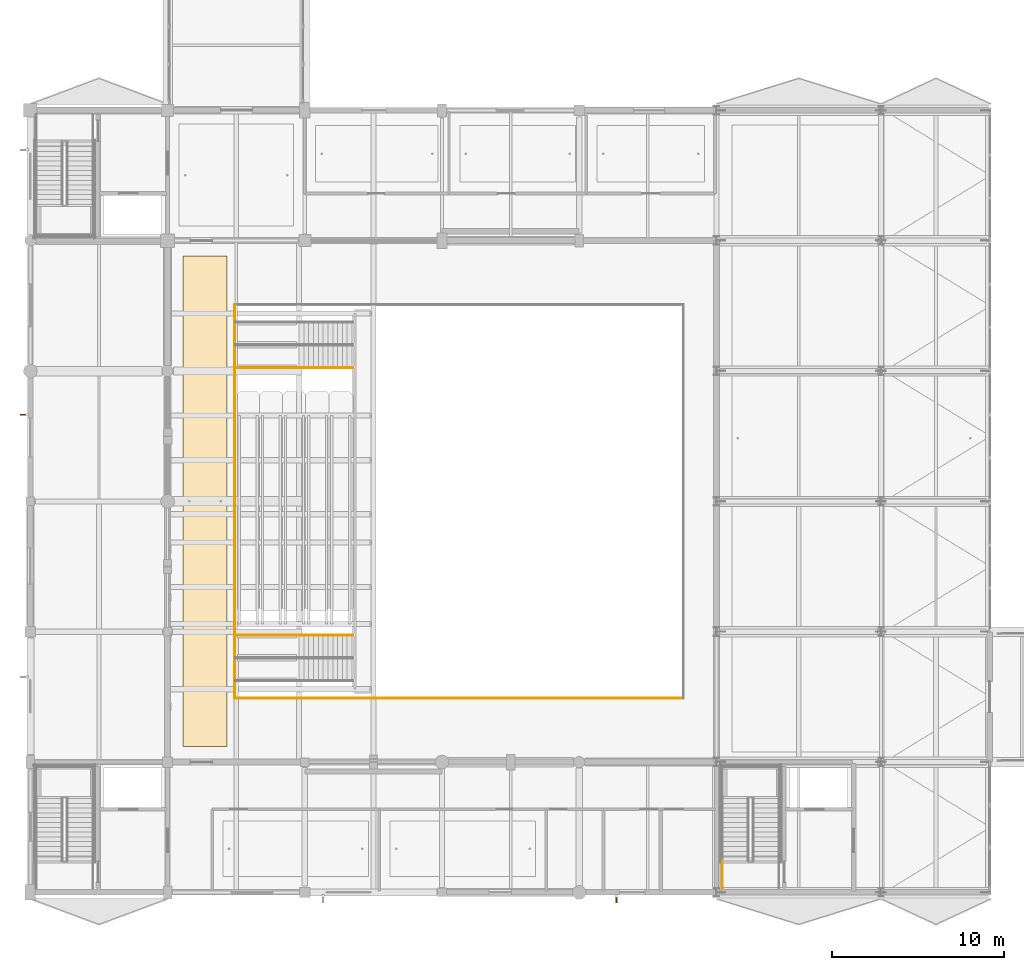
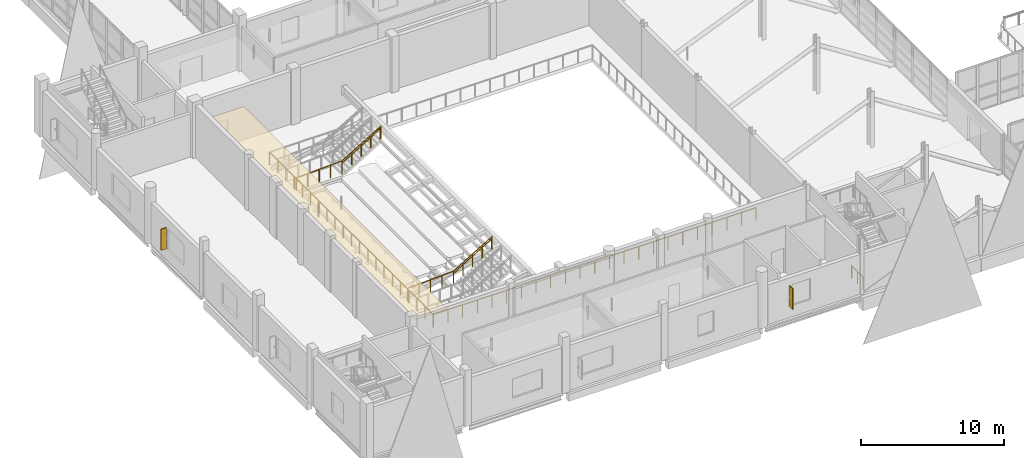
# One storey, part 128 of 147: 7 railings, 2 shading devices, 1 covering.
"""IFC4 building model written with IfcOpenShell, lengths in metres."""

import ifcopenshell
import ifcopenshell.guid

model = None  # the IFC model being written
_history = None  # IfcOwnerHistory: only IFC2X3 demands one
_inside = {}  # id of a spatial element -> (the spatial element, [elements in it])
_under = {}  # id of a project, library or spatial element -> (it, [spatial elements below it])
_declared = {}  # id of a project -> (the project, [libraries it declares])
_typed = {}  # id of a type object -> (the type object, [elements of that type])
_made_of = {}  # id of a material, layer set ... -> (it, [elements and type objects made of it])


def new_model(schema):
    """Start an empty IFC model of exactly this schema.

    Asked for "IFC4X3", IfcOpenShell would pick the latest addendum, in which some entities
    have other attributes; the version numbers below select the first issue.
    IFC2X3 requires an IfcOwnerHistory on every rooted entity: one is made here for all.
    """
    global model, _history
    if schema == "IFC4X3":
        model = ifcopenshell.file(schema_version=(4, 3, 0, 0))
    else:
        model = ifcopenshell.file(schema=schema)
    _inside.clear()
    _under.clear()
    _declared.clear()
    _typed.clear()
    _made_of.clear()
    _history = None
    if model.schema == "IFC2X3":
        org = make("IfcOrganization", Name="unknown")
        user = make(
            "IfcPersonAndOrganization",
            ThePerson=make("IfcPerson", FamilyName="unknown"),
            TheOrganization=org,
        )
        app = make(
            "IfcApplication",
            ApplicationDeveloper=org,
            Version="unknown",
            ApplicationFullName="unknown",
            ApplicationIdentifier="unknown",
        )
        _history = make(
            "IfcOwnerHistory",
            OwningUser=user,
            OwningApplication=app,
            ChangeAction="ADDED",
            CreationDate=0,
        )
    return model


def make(cls, **values):
    """One entity of the class cls with the attributes given. An attribute that is None is left unset."""
    return model.create_entity(
        cls, **{name: value for name, value in values.items() if value is not None}
    )


def rooted(cls, **values):
    """An entity with a GlobalId (a new one), such as an element, a storey or a relation."""
    return make(cls, GlobalId=ifcopenshell.guid.new(), OwnerHistory=_history, **values)


def si_unit(unit_type, name, prefix=None):
    """IfcSIUnit, for example si_unit("LENGTHUNIT", "METRE", prefix="MILLI")."""
    return make("IfcSIUnit", UnitType=unit_type, Prefix=prefix, Name=name)


def assignment(units):
    """IfcUnitAssignment: the units of a project."""
    return None if units is None else make("IfcUnitAssignment", Units=units)


def point(xyz):
    """IfcCartesianPoint."""
    return None if xyz is None else make("IfcCartesianPoint", Coordinates=xyz)


def direction(xyz):
    """IfcDirection."""
    return None if xyz is None else make("IfcDirection", DirectionRatios=xyz)


def frame(location, z_axis=None, x_axis=None):
    """IfcAxis2Placement3D, a coordinate frame: its origin and axes. An axis left out is left unset."""
    return make(
        "IfcAxis2Placement3D",
        Location=point(location),
        Axis=direction(z_axis),
        RefDirection=direction(x_axis),
    )


def frame_2d(location, x_axis=None):
    """IfcAxis2Placement2D, a coordinate frame in the plane: its origin and x axis."""
    return make(
        "IfcAxis2Placement2D", Location=point(location), RefDirection=direction(x_axis)
    )


def origin():
    """The frame at (0, 0, 0) with its axes left unset."""
    return frame((0.0, 0.0, 0.0))


def origin_2d():
    """The frame at (0, 0) in the plane with its x axis left unset."""
    return frame_2d((0.0, 0.0))


def place(relative_to, where):
    """IfcLocalPlacement: puts the frame where relative to a parent placement (None: the world)."""
    return make(
        "IfcLocalPlacement", PlacementRelTo=relative_to, RelativePlacement=where
    )


def context(
    kind, dimensions, precision=None, world=None, true_north=None, identifier=None
):
    """IfcGeometricRepresentationContext, for example the 3D "Model" context."""
    return make(
        "IfcGeometricRepresentationContext",
        ContextIdentifier=identifier,
        ContextType=kind,
        CoordinateSpaceDimension=dimensions,
        Precision=precision,
        WorldCoordinateSystem=world,
        TrueNorth=true_north,
    )


def subcontext(parent, identifier, kind, view, scale=None):
    """IfcGeometricRepresentationSubContext, for example "Body" below "Model"."""
    return make(
        "IfcGeometricRepresentationSubContext",
        ContextIdentifier=identifier,
        ContextType=kind,
        ParentContext=parent,
        TargetScale=scale,
        TargetView=view,
    )


def project(units=None, contexts=None):
    """IfcProject with its units and contexts."""
    return rooted(
        "IfcProject",
        Name="project",
        RepresentationContexts=contexts,
        UnitsInContext=assignment(units),
    )


def spatial(cls, under=None, at=None, **own):
    """A site, building, storey or space (cls), placed at a placement, below another one or the project."""
    s = rooted(cls, ObjectPlacement=at, **own)
    if under is not None:
        _under.setdefault(under.id(), (under, []))[1].append(s)
    return s


def polyline(points):
    """IfcPolyline through the points."""
    return make("IfcPolyline", Points=[point(p) for p in points])


def profile(cls, at=None, kind="AREA", **sizes):
    """A parametric profile (cls). Its sizes go by their IFC names, for example OverallWidth=200.0."""
    return make(cls, ProfileType=kind, Position=at, **sizes)


def rectangle(**sizes):
    """IfcRectangleProfileDef."""
    return profile("IfcRectangleProfileDef", **sizes)


def circle(**sizes):
    """IfcCircleProfileDef."""
    return profile("IfcCircleProfileDef", **sizes)


def outline(outer, holes=None, kind="AREA"):
    """IfcArbitraryClosedProfileDef: a profile drawn as a closed curve; with holes, ...WithVoids."""
    if holes is None:
        return make("IfcArbitraryClosedProfileDef", ProfileType=kind, OuterCurve=outer)
    return make(
        "IfcArbitraryProfileDefWithVoids",
        ProfileType=kind,
        OuterCurve=outer,
        InnerCurves=holes,
    )


def extrude(swept, where, along, depth):
    """IfcExtrudedAreaSolid: the profile swept, set in the frame where, extruded along a direction by depth."""
    return make(
        "IfcExtrudedAreaSolid",
        SweptArea=swept,
        Position=where,
        ExtrudedDirection=direction(along),
        Depth=depth,
    )


def shape(context_of_items, identifier, shape_type, items):
    """IfcShapeRepresentation: the items that make up one representation, for example the "Body"."""
    return make(
        "IfcShapeRepresentation",
        ContextOfItems=context_of_items,
        RepresentationIdentifier=identifier,
        RepresentationType=shape_type,
        Items=items,
    )


def material(Name=None, Category=None):
    """IfcMaterial."""
    return make("IfcMaterial", Name=Name, Category=Category)


def layer(
    of_material, thickness, ventilated=None, Name=None, Category=None, Priority=None
):
    """IfcMaterialLayer: one layer of a wall or slab, of a material (None: an air gap)."""
    return make(
        "IfcMaterialLayer",
        Material=of_material,
        LayerThickness=thickness,
        IsVentilated=ventilated,
        Name=Name,
        Category=Category,
        Priority=Priority,
    )


def layer_set(layers, Name=None):
    """IfcMaterialLayerSet."""
    return make("IfcMaterialLayerSet", MaterialLayers=layers, LayerSetName=Name)


def made_of(thing, what):
    """Note that an element or type object is made of a material, layer set ...; save() writes the relation."""
    if what is not None:
        _made_of.setdefault(what.id(), (what, []))[1].append(thing)
    return thing


def type_object(cls, material=None, **own):
    """A type object (cls), such as IfcWallType, which elements share."""
    return made_of(rooted(cls, **own), material)


def element(
    cls,
    number,
    at=None,
    inside=None,
    cuts=None,
    type_object=None,
    material=None,
    context=None,
    identifier="Body",
    shape_type=None,
    held_by="IfcProductDefinitionShape",
    body=None,
    shapes=None,
    **own,
):
    """One element of the class cls, such as IfcWall. Its Tag is "e" and its number.

    at: its placement. inside: the storey or other place that contains it. cuts: it is an
    opening in that element (IfcRelVoidsElement). A single representation is given by context,
    identifier, shape_type and body (its items); several are given by shapes. held_by: the class
    of the entity that holds the representations. save() writes the other relations.
    """
    e = rooted(cls, Tag="e%d" % number, ObjectPlacement=at, **own)
    if body is not None:
        shapes = [shape(context, identifier, shape_type, body)]
    if shapes is not None:
        e.Representation = make(held_by, Representations=shapes)
    if inside is not None:
        _inside.setdefault(inside.id(), (inside, []))[1].append(e)
    if cuts is not None:
        rooted(
            "IfcRelVoidsElement", RelatingBuildingElement=cuts, RelatedOpeningElement=e
        )
    if type_object is not None:
        _typed.setdefault(type_object.id(), (type_object, []))[1].append(e)
    return made_of(e, material)


def aggregate(whole, parts):
    """IfcRelAggregates: a whole, such as a stair, and the parts it consists of."""
    return rooted("IfcRelAggregates", RelatingObject=whole, RelatedObjects=parts)


def save(model, path):
    """Write the relations noted so far, then the file.

    IfcRelAggregates (storeys below a building ...), IfcRelContainedInSpatialStructure (elements
    in a storey), IfcRelDefinesByType, IfcRelAssociatesMaterial and IfcRelDeclares: one each for
    every whole, place, type object, material and project.
    """
    for whole, parts in _under.values():
        aggregate(whole, parts)
    for where, things in _inside.values():
        rooted(
            "IfcRelContainedInSpatialStructure",
            RelatedElements=things,
            RelatingStructure=where,
        )
    for kind, things in _typed.values():
        rooted("IfcRelDefinesByType", RelatedObjects=things, RelatingType=kind)
    for what, things in _made_of.values():
        rooted("IfcRelAssociatesMaterial", RelatedObjects=things, RelatingMaterial=what)
    for by, libraries in _declared.values():
        rooted("IfcRelDeclares", RelatingContext=by, RelatedDefinitions=libraries)
    model.write(path)


model = new_model("IFC4")

# Units and contexts
model_context = context("Model", 3, precision=1e-05, world=origin(), true_north=direction((0.0, 1.0)))
body_context = subcontext(model_context, "Body", "Model", "MODEL_VIEW")
ifc_project = project(units=[si_unit("LENGTHUNIT", "METRE"), si_unit("AREAUNIT", "SQUARE_METRE"), si_unit("VOLUMEUNIT", "CUBIC_METRE"), si_unit("PLANEANGLEUNIT", "RADIAN"), si_unit("MASSUNIT", "GRAM", prefix="KILO")], contexts=[model_context])

# Site, building, storey
site_placement = place(None, origin())
site = spatial("IfcSite", under=ifc_project, at=site_placement, CompositionType="ELEMENT")
building_placement = place(site_placement, origin())
building = spatial("IfcBuilding", under=site, at=building_placement, Name="Khelvaren Railside Concert Hall", CompositionType="ELEMENT")
storey_placement = place(building_placement, frame((0.0, 0.0, 5.39990234375)))
storey = spatial("IfcBuildingStorey", under=building, at=storey_placement, Name="L01", CompositionType="ELEMENT", Elevation=5.39990234375)

# Covering
ifc_material_1 = material(Name="Mineral-wool acoustic baffle ceiling", Category="gypsum")
ifc_layer = layer(ifc_material_1, 0.0400390625)
ifc_layer_set = layer_set([ifc_layer], Name="Mineral-wool acoustic baffle ceiling")
covering_type = type_object("IfcCoveringType", Name="CLG20", PredefinedType="CEILING", material=ifc_layer_set)
covering_placement = place(storey_placement, frame((0.0, 0.0, 3.41015625)))
element("IfcCovering", 1, at=covering_placement, inside=storey, type_object=covering_type, Name="Suspended Acoustic Ceiling Main Hall Dress Circle Auditorium", PredefinedType="CEILING", context=body_context, shape_type="SweptSolid", body=[
    extrude(outline(polyline([(8.89990234375, 8.5), (11.449951171875, 8.5), (11.449951171875, 37.10009765625), (8.89990234375, 37.10009765625), (8.89990234375, 8.5)])), origin(), (0.0, 0.0, 1.0), 0.0400390625),
])

# Railings
ifc_material_2 = material(Name="Painted architectural steel", Category="steel")
railing_type_1 = type_object("IfcRailingType", Name="GRD86", PredefinedType="GUARDRAIL", material=ifc_material_2)
railing_1_placement = place(storey_placement, frame((40.35009765625, 0.239990234375, 0.0)))
element("IfcRailing", 2, at=railing_1_placement, inside=storey, type_object=railing_type_1, Name="L01 ST-02 stair guard 9", PredefinedType="GUARDRAIL", context=body_context, shape_type="SweptSolid", body=[
    extrude(circle(Radius=0.02392578125, at=origin_2d()), frame((0.0, 0.0, 1.076171875), z_axis=(0.0, 1.0, 0.0), x_axis=(-1.0, 0.0, 0.0)), (0.0, 0.0, 1.0), 1.60009765625),
    extrude(circle(Radius=0.02099609375, at=origin_2d()), origin(), (0.0, 0.0, 1.0), 1.052001953125),
    extrude(circle(Radius=0.02099609375, at=origin_2d()), frame((0.0, 0.800048828125, 0.0)), (0.0, 0.0, 1.0), 1.052001953125),
    extrude(circle(Radius=0.02099609375, at=origin_2d()), frame((0.0, 1.60009765625, 0.0)), (0.0, 0.0, 1.0), 1.052001953125),
])
for number, where, name in (
    (3, (11.949951171875, 15.0, 0.0), "Vomitory Guardrail ST-18-R"),
    (4, (11.949951171875, 30.60009765625, 0.0), "Vomitory Guardrail ST-19-L"),
):
    element("IfcRailing", number, at=place(storey_placement, frame(where)), inside=storey, type_object=railing_type_1, Name=name, PredefinedType="GUARDRAIL", context=body_context, shape_type="SweptSolid", body=[
        extrude(circle(Radius=0.02392578125, at=origin_2d()), frame((0.0, 0.0, 1.076171875), z_axis=(0.998955386328, 0.0, 0.045696128127), x_axis=(0.0, 1.0, 0.0)), (0.0, 0.0, 1.0), 3.723876953125),
        extrude(circle(Radius=0.02392578125, at=origin_2d()), frame((3.719970703125, 0.0, 1.24609375), z_axis=(0.858483901645, 0.0, 0.512840511871), x_axis=(0.0, 1.0, 0.0)), (0.0, 0.0, 1.0), 3.64599609375),
        extrude(circle(Radius=0.02099609375, at=origin_2d()), origin(), (0.0, 0.0, 1.0), 1.052001953125),
        extrude(circle(Radius=0.02099609375, at=origin_2d()), frame((0.929931640625, 0.0, 0.04248046875)), (0.0, 0.0, 1.0), 1.052001953125),
        extrude(circle(Radius=0.02099609375, at=origin_2d()), frame((1.85986328125, 0.0, 0.0849609375)), (0.0, 0.0, 1.0), 1.052001953125),
        extrude(circle(Radius=0.02099609375, at=origin_2d()), frame((2.7900390625, 0.0, 0.127685546875)), (0.0, 0.0, 1.0), 1.052001953125),
        extrude(circle(Radius=0.02099609375, at=origin_2d()), frame((3.719970703125, 0.0, 0.170166015625)), (0.0, 0.0, 1.0), 1.052001953125),
        extrude(circle(Radius=0.02099609375, at=origin_2d()), frame((4.50244140625, 0.0, 0.6376953125)), (0.0, 0.0, 1.0), 1.052001953125),
        extrude(circle(Radius=0.02099609375, at=origin_2d()), frame((5.28515625, 0.0, 1.10498046875)), (0.0, 0.0, 1.0), 1.052001953125),
        extrude(circle(Radius=0.02099609375, at=origin_2d()), frame((6.067626953125, 0.0, 1.572509765625)), (0.0, 0.0, 1.0), 1.052001953125),
        extrude(circle(Radius=0.02099609375, at=origin_2d()), frame((6.85009765625, 0.0, 2.0400390625)), (0.0, 0.0, 1.0), 1.052001953125),
    ])
ifc_material_3 = material(Name="Acoustic bronze and laminated glass guardrail", Category="glass")
railing_type_2 = type_object("IfcRailingType", Name="GRD91", PredefinedType="GUARDRAIL", material=ifc_material_3)
railing_2_placement = place(storey_placement, frame((11.919921875, 11.320068359375, 0.0)))
element("IfcRailing", 5, at=railing_2_placement, inside=storey, type_object=railing_type_2, Name="V1 L01 Acoustic Bowl Edge Guardrail S", PredefinedType="GUARDRAIL", context=body_context, shape_type="SweptSolid", body=[
    extrude(circle(Radius=0.02392578125, at=origin_2d()), frame((0.0, 0.0, 1.076171875), z_axis=(1.0, 0.0, 0.0), x_axis=(0.0, 1.0, 0.0)), (0.0, 0.0, 1.0), 26.16015625),
    extrude(circle(Radius=0.02099609375, at=origin_2d()), origin(), (0.0, 0.0, 1.0), 1.052001953125),
    extrude(circle(Radius=0.02099609375, at=origin_2d()), frame((1.189208984375, 0.0, 0.0)), (0.0, 0.0, 1.0), 1.052001953125),
    extrude(circle(Radius=0.02099609375, at=origin_2d()), frame((2.378173828125, 0.0, 0.0)), (0.0, 0.0, 1.0), 1.052001953125),
    extrude(circle(Radius=0.02099609375, at=origin_2d()), frame((3.5673828125, 0.0, 0.0)), (0.0, 0.0, 1.0), 1.052001953125),
    extrude(circle(Radius=0.02099609375, at=origin_2d()), frame((4.75634765625, 0.0, 0.0)), (0.0, 0.0, 1.0), 1.052001953125),
    extrude(circle(Radius=0.02099609375, at=origin_2d()), frame((5.945556640625, 0.0, 0.0)), (0.0, 0.0, 1.0), 1.052001953125),
    extrude(circle(Radius=0.02099609375, at=origin_2d()), frame((7.134521484375, 0.0, 0.0)), (0.0, 0.0, 1.0), 1.052001953125),
    extrude(circle(Radius=0.02099609375, at=origin_2d()), frame((8.32373046875, 0.0, 0.0)), (0.0, 0.0, 1.0), 1.052001953125),
    extrude(circle(Radius=0.02099609375, at=origin_2d()), frame((9.5126953125, 0.0, 0.0)), (0.0, 0.0, 1.0), 1.052001953125),
    extrude(circle(Radius=0.02099609375, at=origin_2d()), frame((10.701904296875, 0.0, 0.0)), (0.0, 0.0, 1.0), 1.052001953125),
    extrude(circle(Radius=0.02099609375, at=origin_2d()), frame((11.890869140625, 0.0, 0.0)), (0.0, 0.0, 1.0), 1.052001953125),
    extrude(circle(Radius=0.02099609375, at=origin_2d()), frame((13.080078125, 0.0, 0.0)), (0.0, 0.0, 1.0), 1.052001953125),
    extrude(circle(Radius=0.02099609375, at=origin_2d()), frame((14.269287109375, 0.0, 0.0)), (0.0, 0.0, 1.0), 1.052001953125),
    extrude(circle(Radius=0.02099609375, at=origin_2d()), frame((15.458251953125, 0.0, 0.0)), (0.0, 0.0, 1.0), 1.052001953125),
    extrude(circle(Radius=0.02099609375, at=origin_2d()), frame((16.6474609375, 0.0, 0.0)), (0.0, 0.0, 1.0), 1.052001953125),
    extrude(circle(Radius=0.02099609375, at=origin_2d()), frame((17.83642578125, 0.0, 0.0)), (0.0, 0.0, 1.0), 1.052001953125),
    extrude(circle(Radius=0.02099609375, at=origin_2d()), frame((19.025634765625, 0.0, 0.0)), (0.0, 0.0, 1.0), 1.052001953125),
    extrude(circle(Radius=0.02099609375, at=origin_2d()), frame((20.214599609375, 0.0, 0.0)), (0.0, 0.0, 1.0), 1.052001953125),
    extrude(circle(Radius=0.02099609375, at=origin_2d()), frame((21.40380859375, 0.0, 0.0)), (0.0, 0.0, 1.0), 1.052001953125),
    extrude(circle(Radius=0.02099609375, at=origin_2d()), frame((22.5927734375, 0.0, 0.0)), (0.0, 0.0, 1.0), 1.052001953125),
    extrude(circle(Radius=0.02099609375, at=origin_2d()), frame((23.781982421875, 0.0, 0.0)), (0.0, 0.0, 1.0), 1.052001953125),
    extrude(circle(Radius=0.02099609375, at=origin_2d()), frame((24.970947265625, 0.0, 0.0)), (0.0, 0.0, 1.0), 1.052001953125),
    extrude(circle(Radius=0.02099609375, at=origin_2d()), frame((26.16015625, 0.0, 0.0)), (0.0, 0.0, 1.0), 1.052001953125),
])
railing_3_placement = place(storey_placement, frame((11.919921875, 34.280029296875, 0.0)))
element("IfcRailing", 6, at=railing_3_placement, inside=storey, type_object=railing_type_2, Name="V1 L01 Acoustic Bowl Edge Guardrail W", PredefinedType="GUARDRAIL", context=body_context, shape_type="SweptSolid", body=[
    extrude(circle(Radius=0.02392578125, at=origin_2d()), frame((0.0, 0.0, 1.076171875), z_axis=(0.0, -1.0, 0.0), x_axis=(1.0, 0.0, 0.0)), (0.0, 0.0, 1.0), 22.9599609375),
    extrude(circle(Radius=0.02099609375, at=origin_2d()), origin(), (0.0, 0.0, 1.0), 1.052001953125),
    extrude(circle(Radius=0.02099609375, at=origin_2d()), frame((0.0, -1.14794921875, 0.0)), (0.0, 0.0, 1.0), 1.052001953125),
    extrude(circle(Radius=0.02099609375, at=origin_2d()), frame((0.0, -2.2958984375, 0.0)), (0.0, 0.0, 1.0), 1.052001953125),
    extrude(circle(Radius=0.02099609375, at=origin_2d()), frame((0.0, -3.444091796875, 0.0)), (0.0, 0.0, 1.0), 1.052001953125),
    extrude(circle(Radius=0.02099609375, at=origin_2d()), frame((0.0, -4.592041015625, 0.0)), (0.0, 0.0, 1.0), 1.052001953125),
    extrude(circle(Radius=0.02099609375, at=origin_2d()), frame((0.0, -5.739990234375, 0.0)), (0.0, 0.0, 1.0), 1.052001953125),
    extrude(circle(Radius=0.02099609375, at=origin_2d()), frame((0.0, -6.887939453125, 0.0)), (0.0, 0.0, 1.0), 1.052001953125),
    extrude(circle(Radius=0.02099609375, at=origin_2d()), frame((0.0, -8.035888671875, 0.0)), (0.0, 0.0, 1.0), 1.052001953125),
    extrude(circle(Radius=0.02099609375, at=origin_2d()), frame((0.0, -9.18408203125, 0.0)), (0.0, 0.0, 1.0), 1.052001953125),
    extrude(circle(Radius=0.02099609375, at=origin_2d()), frame((0.0, -10.33203125, 0.0)), (0.0, 0.0, 1.0), 1.052001953125),
    extrude(circle(Radius=0.02099609375, at=origin_2d()), frame((0.0, -11.47998046875, 0.0)), (0.0, 0.0, 1.0), 1.052001953125),
    extrude(circle(Radius=0.02099609375, at=origin_2d()), frame((0.0, -12.6279296875, 0.0)), (0.0, 0.0, 1.0), 1.052001953125),
    extrude(circle(Radius=0.02099609375, at=origin_2d()), frame((0.0, -13.77587890625, 0.0)), (0.0, 0.0, 1.0), 1.052001953125),
    extrude(circle(Radius=0.02099609375, at=origin_2d()), frame((0.0, -14.924072265625, 0.0)), (0.0, 0.0, 1.0), 1.052001953125),
    extrude(circle(Radius=0.02099609375, at=origin_2d()), frame((0.0, -16.072021484375, 0.0)), (0.0, 0.0, 1.0), 1.052001953125),
    extrude(circle(Radius=0.02099609375, at=origin_2d()), frame((0.0, -17.219970703125, 0.0)), (0.0, 0.0, 1.0), 1.052001953125),
    extrude(circle(Radius=0.02099609375, at=origin_2d()), frame((0.0, -18.367919921875, 0.0)), (0.0, 0.0, 1.0), 1.052001953125),
    extrude(circle(Radius=0.02099609375, at=origin_2d()), frame((0.0, -19.515869140625, 0.0)), (0.0, 0.0, 1.0), 1.052001953125),
    extrude(circle(Radius=0.02099609375, at=origin_2d()), frame((0.0, -20.6640625, 0.0)), (0.0, 0.0, 1.0), 1.052001953125),
    extrude(circle(Radius=0.02099609375, at=origin_2d()), frame((0.0, -21.81201171875, 0.0)), (0.0, 0.0, 1.0), 1.052001953125),
    extrude(circle(Radius=0.02099609375, at=origin_2d()), frame((0.0, -22.9599609375, 0.0)), (0.0, 0.0, 1.0), 1.052001953125),
])
ifc_material_4 = material(Name="Brushed stainless steel Grade 316", Category="steel")
railing_type_3 = type_object("IfcRailingType", Name="HRL59", PredefinedType="HANDRAIL", material=ifc_material_4)
for number, where, name in (
    (7, (15.669921875, 15.0, 0.170166015625), "Vomitory Pitch Handrail ST-18-R"),
    (8, (15.669921875, 30.60009765625, 0.170166015625), "Vomitory Pitch Handrail ST-19-L"),
):
    element("IfcRailing", number, at=place(storey_placement, frame(where)), inside=storey, type_object=railing_type_3, Name=name, PredefinedType="HANDRAIL", context=body_context, shape_type="SweptSolid", body=[
        extrude(circle(Radius=0.02392578125, at=origin_2d()), frame((0.0, 0.0, 0.8759765625), z_axis=(0.854808984221, 0.0, 0.518942771889), x_axis=(0.0, 1.0, 0.0)), (0.0, 0.0, 1.0), 3.603271484375),
        extrude(circle(Radius=0.02099609375, at=origin_2d()), origin(), (0.0, 0.0, 1.0), 0.851806640625),
        extrude(circle(Radius=0.02099609375, at=origin_2d()), frame((0.77001953125, 0.0, 0.467529296875)), (0.0, 0.0, 1.0), 0.851806640625),
        extrude(circle(Radius=0.02099609375, at=origin_2d()), frame((1.5400390625, 0.0, 0.93505859375)), (0.0, 0.0, 1.0), 0.851806640625),
        extrude(circle(Radius=0.02099609375, at=origin_2d()), frame((2.31005859375, 0.0, 1.40234375)), (0.0, 0.0, 1.0), 0.851806640625),
        extrude(circle(Radius=0.02099609375, at=origin_2d()), frame((3.080078125, 0.0, 1.869873046875)), (0.0, 0.0, 1.0), 0.851806640625),
    ])

# Shading devices
ifc_material_5 = material(Name="Anodised bronze aluminium 6063-T6", Category="aluminium")
shading_device_type = type_object("IfcShadingDeviceType", Name="SFN18", PredefinedType="USERDEFINED", material=ifc_material_5)
for number, where, z_axis, x_axis, name in (
    (9, (34.1640625, -0.3798828125, 0.9501953125), (0.0, 0.0, 1.0), (-1.0, 0.0, 0.0), "Bronze Solar Shading Fin EW-V1-L01-S-32"),
    (10, (-0.3798828125, 27.85498046875, 0.9501953125), (0.0, 0.0, 1.0), (0.0, 1.0, 0.0), "Bronze Solar Shading Fin EW-V1-L01-W-23"),
):
    element("IfcShadingDevice", number, at=place(storey_placement, frame(where, z_axis=z_axis, x_axis=x_axis)), inside=storey, type_object=shading_device_type, Name=name, ObjectType="SOLAR FIN", PredefinedType="USERDEFINED", context=body_context, shape_type="SweptSolid", body=[
        extrude(rectangle(XDim=0.080078125, YDim=0.449951171875, at=origin_2d()), origin(), (0.0, 0.0, 1.0), 1.800048828125),
    ])

save(model, "model.ifc")
